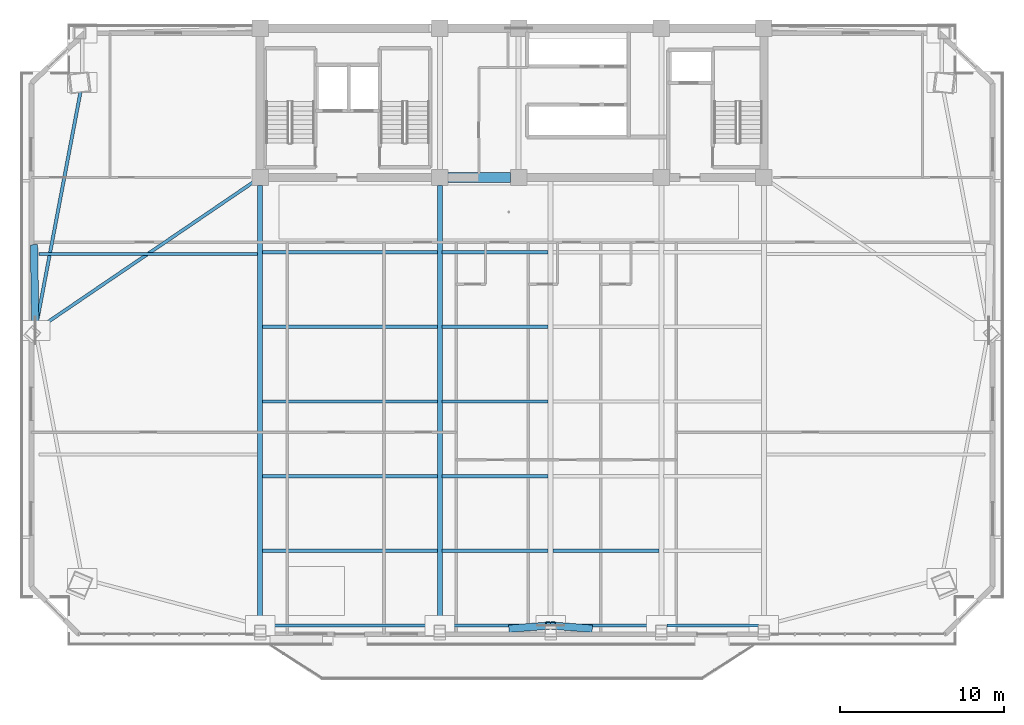
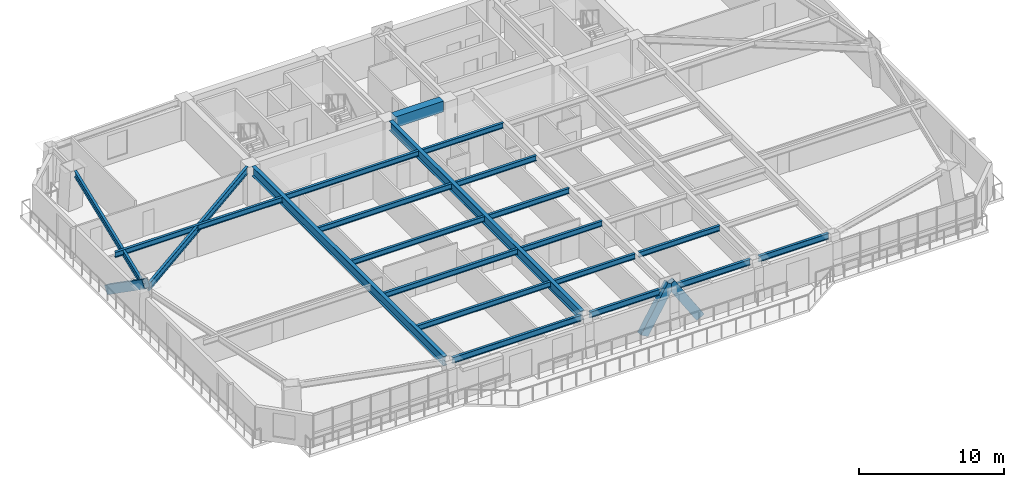
# One storey, part 3 of 15: 21 beams, 3 members.
"""IFC4 building model written with IfcOpenShell, lengths in metres."""

from ifc_helpers import new_model, si_unit, direction, frame, origin, origin_2d, place, context, subcontext, project, spatial, rectangle, hollow_rectangle, i_section, extrude, source, transform, mapped, material, material_profile, profile_set, type_object, element, save


model = new_model("IFC4")

# Units and contexts
model_context = context("Model", 3, precision=1e-05, world=origin(), true_north=direction((0.0, 1.0)))
body_context = subcontext(model_context, "Body", "Model", "MODEL_VIEW")
ifc_project = project(units=[si_unit("LENGTHUNIT", "METRE"), si_unit("AREAUNIT", "SQUARE_METRE"), si_unit("VOLUMEUNIT", "CUBIC_METRE"), si_unit("PLANEANGLEUNIT", "RADIAN"), si_unit("MASSUNIT", "GRAM", prefix="KILO")], contexts=[model_context])

# Site, building, storey
site_placement = place(None, origin())
site = spatial("IfcSite", under=ifc_project, at=site_placement, CompositionType="ELEMENT")
building_placement = place(site_placement, origin())
building = spatial("IfcBuilding", under=site, at=building_placement, Name="Giltprow Tower", CompositionType="ELEMENT")
storey_placement = place(building_placement, frame((0.0, 0.0, 177.199951171875)))
storey = spatial("IfcBuildingStorey", under=building, at=storey_placement, Name="L44", CompositionType="ELEMENT", Elevation=177.199951171875)

# Beams
ifc_material_1 = material(Name="Structural steel Q355B", Category="steel")
ifc_material_profile_1 = material_profile(ifc_material_1, i_section(OverallWidth=0.199951171875, OverallDepth=0.449951171875, WebThickness=0.009033203125, FlangeThickness=0.013916015625, at=origin_2d()), Name="HN 450x200x9x14")
ifc_profile_set_1 = profile_set([ifc_material_profile_1], Name="Structural steel Q355B")
beam_type_1 = type_object("IfcBeamType", Name="BM-JOIST-HN450", PredefinedType="JOIST", material=ifc_profile_set_1)
shared_shape_1 = source(origin(), body_context, "Body", "SweptSolid", [
    extrude(i_section(OverallWidth=0.199951171875, OverallDepth=0.449951171875, WebThickness=0.009033203125, FlangeThickness=0.013916015625, at=origin_2d()), origin(), (0.0, 0.0, 1.0), 10.659912109375),
])
for number, where, z_axis, x_axis, name in (
    (1, (19.9951171875, 14.702880859375, 3.045166015625), (1.0, 0.0, 0.0), (0.0, 1.0, 0.0), "L44 Composite Floor Joist 1-1"),
    (2, (19.9951171875, 19.2529296875, 3.045166015625), (1.0, 0.0, 0.0), (0.0, 1.0, 0.0), "L44 Composite Floor Joist 2-1"),
    (3, (19.9951171875, 23.802001953125, 3.045166015625), (1.0, 0.0, 0.0), (0.0, 1.0, 0.0), "L44 Composite Floor Joist 3-1"),
    (4, (19.9951171875, 28.35107421875, 3.045166015625), (1.0, 0.0, 0.0), (0.0, 1.0, 0.0), "L44 Composite Floor Joist 4-1"),
    (5, (19.9951171875, 32.90087890625, 3.045166015625), (1.0, 0.0, 0.0), (0.0, 1.0, 0.0), "L44 Composite Floor Joist 5-1"),
):
    element("IfcBeam", number, at=place(storey_placement, frame(where, z_axis=z_axis, x_axis=x_axis)), inside=storey, type_object=beam_type_1, Name=name, PredefinedType="JOIST", context=body_context, shape_type="MappedRepresentation", body=[
        mapped(shared_shape_1, transform((0.0, 0.0, 0.0), x_axis=(1.0, 0.0, 0.0), y_axis=(0.0, 1.0, 0.0), z_axis=(0.0, 0.0, 1.0), scale=1.0)),
    ])
shared_shape_2 = source(origin(), body_context, "Body", "SweptSolid", [
    extrude(i_section(OverallWidth=0.199951171875, OverallDepth=0.449951171875, WebThickness=0.009033203125, FlangeThickness=0.013916015625, at=origin_2d()), origin(), (0.0, 0.0, 1.0), 6.4599609375),
])
for number, where, z_axis, x_axis, name in (
    (6, (30.945068359375, 14.702880859375, 3.045166015625), (1.0, 0.0, 0.0), (0.0, 1.0, 0.0), "L44 Composite Floor Joist 1-2"),
    (7, (37.695068359375, 14.702880859375, 3.045166015625), (1.0, 0.0, 0.0), (0.0, 1.0, 0.0), "L44 Composite Floor Joist 1-3"),
    (8, (30.945068359375, 19.2529296875, 3.045166015625), (1.0, 0.0, 0.0), (0.0, 1.0, 0.0), "L44 Composite Floor Joist 2-2"),
    (9, (30.945068359375, 23.802001953125, 3.045166015625), (1.0, 0.0, 0.0), (0.0, 1.0, 0.0), "L44 Composite Floor Joist 3-2"),
    (10, (30.945068359375, 28.35107421875, 3.045166015625), (1.0, 0.0, 0.0), (0.0, 1.0, 0.0), "L44 Composite Floor Joist 4-2"),
    (11, (30.945068359375, 32.90087890625, 3.045166015625), (1.0, 0.0, 0.0), (0.0, 1.0, 0.0), "L44 Composite Floor Joist 5-2"),
):
    element("IfcBeam", number, at=place(storey_placement, frame(where, z_axis=z_axis, x_axis=x_axis)), inside=storey, type_object=beam_type_1, Name=name, PredefinedType="JOIST", context=body_context, shape_type="MappedRepresentation", body=[
        mapped(shared_shape_2, transform((0.0, 0.0, 0.0), x_axis=(1.0, 0.0, 0.0), y_axis=(0.0, 1.0, 0.0), z_axis=(0.0, 0.0, 1.0), scale=1.0)),
    ])
ifc_material_2 = material(Name="Concrete C50", Category="concrete")
ifc_material_profile_2 = material_profile(ifc_material_2, rectangle(XDim=0.60009765625, YDim=0.89990234375, at=origin_2d()), Name="RC 900x600")
ifc_profile_set_2 = profile_set([ifc_material_profile_2], Name="Concrete C50")
beam_type_2 = type_object("IfcBeamType", Name="BM-CPL-RC900", PredefinedType="LINTEL", material=ifc_profile_set_2)
shared_shape_3 = source(origin(), body_context, "Body", "SweptSolid", [
    extrude(rectangle(XDim=0.60009765625, YDim=0.89990234375, at=origin_2d()), origin(), (0.0, 0.0, 1.0), 3.830078125),
])
beam_1_placement = place(storey_placement, frame((31.284912109375, 37.449951171875, 2.820068359375), z_axis=(1.0, 0.0, 0.0), x_axis=(0.0, 1.0, 0.0)))
element("IfcBeam", 12, at=beam_1_placement, inside=storey, type_object=beam_type_2, Name="L44 Core Coupling Beam CB-1", PredefinedType="LINTEL", context=body_context, shape_type="MappedRepresentation", body=[
    mapped(shared_shape_3, transform((0.0, 0.0, 0.0), x_axis=(1.0, 0.0, 0.0), y_axis=(0.0, 1.0, 0.0), z_axis=(0.0, 0.0, 1.0), scale=1.0)),
])
ifc_material_profile_3 = material_profile(ifc_material_1, i_section(OverallWidth=0.199951171875, OverallDepth=0.5, WebThickness=0.010009765625, FlangeThickness=0.01611328125, at=origin_2d()), Name="HN 500x200x10x16")
ifc_profile_set_3 = profile_set([ifc_material_profile_3], Name="Structural steel Q355B")
beam_type_3 = type_object("IfcBeamType", Name="BM-SPAN-HN500", PredefinedType="SPANDREL", material=ifc_profile_set_3)
shared_shape_4 = source(origin(), body_context, "Body", "SweptSolid", [
    extrude(i_section(OverallWidth=0.199951171875, OverallDepth=0.5, WebThickness=0.010009765625, FlangeThickness=0.01611328125, at=origin_2d()), origin(), (0.0, 0.0, 1.0), 10.280029296875),
])
beam_2_placement = place(storey_placement, frame((20.18505859375, 10.154052734375, 3.02001953125), z_axis=(1.0, 0.0, 0.0), x_axis=(0.0, 1.0, 0.0)))
element("IfcBeam", 13, at=beam_2_placement, inside=storey, type_object=beam_type_3, Name="L44 Perimeter Spandrel Beam S1-S2", PredefinedType="SPANDREL", context=body_context, shape_type="MappedRepresentation", body=[
    mapped(shared_shape_4, transform((0.0, 0.0, 0.0), x_axis=(1.0, 0.0, 0.0), y_axis=(0.0, 1.0, 0.0), z_axis=(0.0, 0.0, 1.0), scale=1.0)),
])
shared_shape_5 = source(origin(), body_context, "Body", "SweptSolid", [
    extrude(i_section(OverallWidth=0.199951171875, OverallDepth=0.5, WebThickness=0.010009765625, FlangeThickness=0.01611328125, at=origin_2d()), origin(), (0.0, 0.0, 1.0), 6.080078125),
])
for number, where, z_axis, x_axis, name in (
    (14, (31.135009765625, 10.154052734375, 3.02001953125), (1.0, 0.0, 0.0), (0.0, 1.0, 0.0), "L44 Perimeter Spandrel Beam S2-S_MID"),
    (15, (37.885009765625, 10.154052734375, 3.02001953125), (1.0, 0.0, 0.0), (0.0, 1.0, 0.0), "L44 Perimeter Spandrel Beam S_MID-S3"),
):
    element("IfcBeam", number, at=place(storey_placement, frame(where, z_axis=z_axis, x_axis=x_axis)), inside=storey, type_object=beam_type_3, Name=name, PredefinedType="SPANDREL", context=body_context, shape_type="MappedRepresentation", body=[
        mapped(shared_shape_5, transform((0.0, 0.0, 0.0), x_axis=(1.0, 0.0, 0.0), y_axis=(0.0, 1.0, 0.0), z_axis=(0.0, 0.0, 1.0), scale=1.0)),
    ])
shared_shape_6 = source(origin(), body_context, "Body", "SweptSolid", [
    extrude(i_section(OverallWidth=0.199951171875, OverallDepth=0.5, WebThickness=0.010009765625, FlangeThickness=0.01611328125, at=origin_2d()), origin(), (0.0, 0.0, 1.0), 5.580078125),
])
beam_3_placement = place(storey_placement, frame((44.635009765625, 10.154052734375, 3.02001953125), z_axis=(1.0, 0.0, 0.0), x_axis=(0.0, 1.0, 0.0)))
element("IfcBeam", 16, at=beam_3_placement, inside=storey, type_object=beam_type_3, Name="L44 Perimeter Spandrel Beam S3-S4", PredefinedType="SPANDREL", context=body_context, shape_type="MappedRepresentation", body=[
    mapped(shared_shape_6, transform((0.0, 0.0, 0.0), x_axis=(1.0, 0.0, 0.0), y_axis=(0.0, 1.0, 0.0), z_axis=(0.0, 0.0, 1.0), scale=1.0)),
])
shared_shape_7 = source(origin(), body_context, "Body", "SweptSolid", [
    extrude(i_section(OverallWidth=0.199951171875, OverallDepth=0.5, WebThickness=0.010009765625, FlangeThickness=0.01611328125, at=origin_2d()), origin(), (0.0, 0.0, 1.0), 14.46044921875),
])
beam_4_placement = place(storey_placement, frame((8.906005859375, 42.6640625, 3.02001953125), z_axis=(-0.186021185186, -0.982545733624, 0.0), x_axis=(0.982545733624, -0.186021185186, 0.0)))
element("IfcBeam", 17, at=beam_4_placement, inside=storey, type_object=beam_type_3, Name="L44 Perimeter Spandrel Beam MC_NW-W_MID", PredefinedType="SPANDREL", context=body_context, shape_type="MappedRepresentation", body=[
    mapped(shared_shape_7, transform((0.0, 0.0, 0.0), x_axis=(1.0, 0.0, 0.0), y_axis=(0.0, 1.0, 0.0), z_axis=(0.0, 0.0, 1.0), scale=1.0)),
])
ifc_material_profile_4 = material_profile(ifc_material_1, i_section(OverallWidth=0.300048828125, OverallDepth=0.800048828125, WebThickness=0.013916015625, FlangeThickness=0.02587890625, at=origin_2d()), Name="HN 800x300x14x26")
ifc_profile_set_4 = profile_set([ifc_material_profile_4], Name="Structural steel Q355B")
beam_type_4 = type_object("IfcBeamType", Name="BM-GIRD-HN800", PredefinedType="BEAM", material=ifc_profile_set_4)
shared_shape_8 = source(origin(), body_context, "Body", "SweptSolid", [
    extrude(i_section(OverallWidth=0.300048828125, OverallDepth=0.800048828125, WebThickness=0.013916015625, FlangeThickness=0.02587890625, at=origin_2d()), origin(), (0.0, 0.0, 1.0), 26.47607421875),
])
for number, where, z_axis, x_axis, name in (
    (18, (19.85009765625, 10.489013671875, 2.8701171875), (0.0, 1.0, 0.0), (-1.0, 0.0, 0.0), "L44 Primary Lease Girder S1"),
    (19, (30.800048828125, 10.489013671875, 2.8701171875), (0.0, 1.0, 0.0), (-1.0, 0.0, 0.0), "L44 Primary Lease Girder S2"),
):
    element("IfcBeam", number, at=place(storey_placement, frame(where, z_axis=z_axis, x_axis=x_axis)), inside=storey, type_object=beam_type_4, Name=name, PredefinedType="BEAM", context=body_context, shape_type="MappedRepresentation", body=[
        mapped(shared_shape_8, transform((0.0, 0.0, 0.0), x_axis=(1.0, 0.0, 0.0), y_axis=(0.0, 1.0, 0.0), z_axis=(0.0, 0.0, 1.0), scale=1.0)),
    ])
ifc_material_profile_5 = material_profile(ifc_material_1, i_section(OverallWidth=0.199951171875, OverallDepth=0.60009765625, WebThickness=0.010986328125, FlangeThickness=0.01708984375, at=origin_2d()), Name="HN 600x200x11x17")
ifc_profile_set_5 = profile_set([ifc_material_profile_5], Name="Structural steel Q355B")
beam_type_5 = type_object("IfcBeamType", Name="BM-GIRD-HN600", PredefinedType="BEAM", material=ifc_profile_set_5)
shared_shape_9 = source(origin(), body_context, "Body", "SweptSolid", [
    extrude(i_section(OverallWidth=0.199951171875, OverallDepth=0.60009765625, WebThickness=0.010986328125, FlangeThickness=0.01708984375, at=origin_2d()), origin(), (0.0, 0.0, 1.0), 15.74755859375),
])
beam_5_placement = place(storey_placement, frame((6.430908203125, 28.31591796875, 2.969970703125), z_axis=(0.826666606426, 0.562692031061, 0.0), x_axis=(-0.562692031061, 0.826666606426, 0.0)))
element("IfcBeam", 20, at=beam_5_placement, inside=storey, type_object=beam_type_5, Name="L44 West Wing Primary Girder", PredefinedType="BEAM", context=body_context, shape_type="MappedRepresentation", body=[
    mapped(shared_shape_9, transform((0.0, 0.0, 0.0), x_axis=(1.0, 0.0, 0.0), y_axis=(0.0, 1.0, 0.0), z_axis=(0.0, 0.0, 1.0), scale=1.0)),
])
shared_shape_10 = source(origin(), body_context, "Body", "SweptSolid", [
    extrude(i_section(OverallWidth=0.199951171875, OverallDepth=0.449951171875, WebThickness=0.009033203125, FlangeThickness=0.013916015625, at=origin_2d()), origin(), (0.0, 0.0, 1.0), 13.3310546875),
])
beam_6_placement = place(storey_placement, frame((6.3740234375, 32.7880859375, 3.045166015625), z_axis=(1.0, 0.0, 0.0), x_axis=(0.0, 1.0, 0.0)))
element("IfcBeam", 21, at=beam_6_placement, inside=storey, type_object=beam_type_1, Name="L44 West Wing Floor Joist 2", PredefinedType="JOIST", context=body_context, shape_type="MappedRepresentation", body=[
    mapped(shared_shape_10, transform((0.0, 0.0, 0.0), x_axis=(1.0, 0.0, 0.0), y_axis=(0.0, 1.0, 0.0), z_axis=(0.0, 0.0, 1.0), scale=1.0)),
])

# Members
ifc_material_3 = material(Name="Structural steel Q420GJC", Category="steel")
ifc_material_profile_6 = material_profile(ifc_material_3, hollow_rectangle(XDim=0.449951171875, YDim=0.699951171875, WallThickness=0.031982421875, at=origin_2d()), Name="RHS 700x450x32")
ifc_profile_set_6 = profile_set([ifc_material_profile_6], Name="Structural steel Q420GJC")
member_type = type_object("IfcMemberType", Name="MBR-MEGA-RHS700", PredefinedType="BRACE", material=ifc_profile_set_6)
shared_shape_11 = source(origin(), body_context, "Body", "SweptSolid", [
    extrude(hollow_rectangle(XDim=0.449951171875, YDim=0.699951171875, WallThickness=0.031982421875, at=origin_2d()), origin(), (0.0, 0.0, 1.0), 4.16455078125),
])
for number, where, z_axis, x_axis, name in (
    (22, (35.300048828125, 9.97802734375, 0.0), (0.540274331149, 0.042267555638, 0.840426737343), (-0.077995186993, 0.996953735539, 0.0), "L44 Chevron Mega-Brace S-L"),
    (23, (39.800048828125, 9.97802734375, 0.0), (-0.540274331149, 0.042267555638, 0.840426737343), (-0.077995186993, -0.996953735539, 0.0), "L44 Chevron Mega-Brace S-R"),
):
    element("IfcMember", number, at=place(storey_placement, frame(where, z_axis=z_axis, x_axis=x_axis)), inside=storey, type_object=member_type, Name=name, PredefinedType="BRACE", context=body_context, shape_type="MappedRepresentation", body=[
        mapped(shared_shape_11, transform((0.0, 0.0, 0.0), x_axis=(1.0, 0.0, 0.0), y_axis=(0.0, 1.0, 0.0), z_axis=(0.0, 0.0, 1.0), scale=1.0)),
    ])
shared_shape_12 = source(origin(), body_context, "Body", "SweptSolid", [
    extrude(hollow_rectangle(XDim=0.449951171875, YDim=0.699951171875, WallThickness=0.031982421875, at=origin_2d()), origin(), (0.0, 0.0, 1.0), 6.127685546875),
])
member_placement = place(storey_placement, frame((6.075927734375, 33.156005859375, 0.0), z_axis=(0.012749691089, -0.820721521051, 0.571186160774), x_axis=(0.999879357844, 0.015532860552, 0.0)))
element("IfcMember", 24, at=member_placement, inside=storey, type_object=member_type, Name="L44 Chevron Mega-Brace W-R", PredefinedType="BRACE", context=body_context, shape_type="MappedRepresentation", body=[
    mapped(shared_shape_12, transform((0.0, 0.0, 0.0), x_axis=(1.0, 0.0, 0.0), y_axis=(0.0, 1.0, 0.0), z_axis=(0.0, 0.0, 1.0), scale=1.0)),
])

save(model, "model.ifc")
